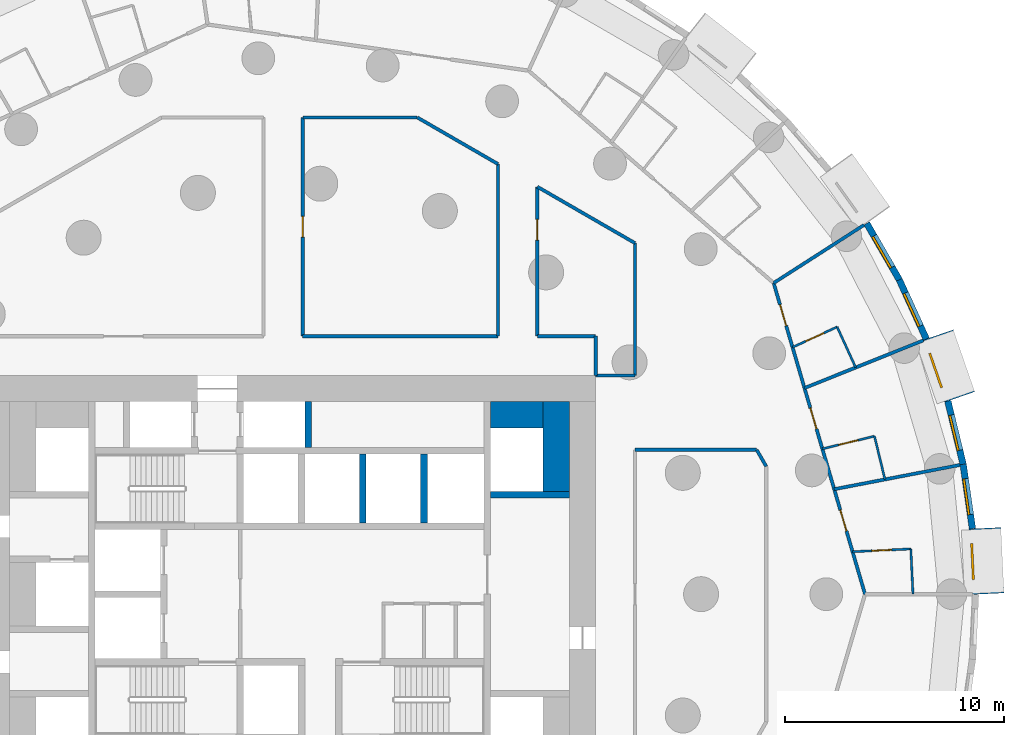
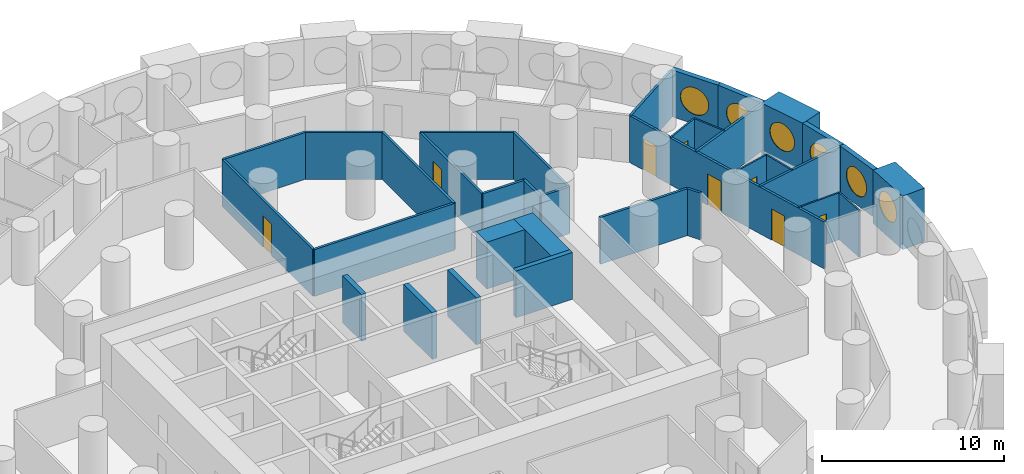
# One storey, part 9 of 12: 35 walls, 8 doors, 6 windows, 14 openings.
"""IFC4 building model written with IfcOpenShell, lengths in metres."""

from ifc_helpers import new_model, si_unit, direction, frame, frame_2d, origin, origin_2d, place, context, subcontext, project, spatial, rectangle, circle, extrude, material, layer, layer_set, type_object, element, fill, save


model = new_model("IFC4")

# Units and contexts
model_context = context("Model", 3, precision=1e-05, world=origin(), true_north=direction((0.0, 1.0)))
body_context = subcontext(model_context, "Body", "Model", "MODEL_VIEW")
ifc_project = project(units=[si_unit("LENGTHUNIT", "METRE"), si_unit("AREAUNIT", "SQUARE_METRE"), si_unit("VOLUMEUNIT", "CUBIC_METRE"), si_unit("PLANEANGLEUNIT", "RADIAN"), si_unit("MASSUNIT", "GRAM", prefix="KILO")], contexts=[model_context])

# Site, building, storey
site_placement = place(None, origin())
site = spatial("IfcSite", under=ifc_project, at=site_placement, CompositionType="ELEMENT")
building_placement = place(site_placement, origin())
building = spatial("IfcBuilding", under=site, at=building_placement, Name="Tracery Tower", CompositionType="ELEMENT")
storey_placement = place(building_placement, frame((0.0, 0.0, 28.199951171875)))
storey = spatial("IfcBuildingStorey", under=building, at=storey_placement, Name="L05", CompositionType="ELEMENT", Elevation=28.199951171875)

# Walls
ifc_material_1 = material(Name="Concrete C60/75", Category="concrete")
ifc_layer_1 = layer(ifc_material_1, 1.199951171875)
ifc_layer_set_1 = layer_set([ifc_layer_1], Name="Core strip wall 1200 C60")
wall_type_1 = type_object("IfcWallType", Name="Core strip wall 1200 C60", PredefinedType="SOLIDWALL", material=ifc_layer_set_1)
wall_1_placement = place(storey_placement, frame((12.199951171875, 4.699951171875, 0.0), z_axis=(0.0, 0.0, 1.0), x_axis=(0.0, 1.0, 0.0)))
element("IfcWall", 1, at=wall_1_placement, inside=storey, type_object=wall_type_1, Name="L05 wing strip +1 4.55", PredefinedType="SOLIDWALL", context=body_context, shape_type="SweptSolid", body=[
    extrude(rectangle(XDim=4.10009765625, YDim=1.199951171875, at=frame_2d((2.050048828125, 0.0))), origin(), (0.0, 0.0, 1.0), 3.150146484375),
])
wall_2_placement = place(storey_placement, frame((9.199951171875, 8.199951171875, 0.0), z_axis=(0.0, 0.0, 1.0), x_axis=(1.0, 0.0, 0.0)))
element("IfcWall", 2, at=wall_2_placement, inside=storey, type_object=wall_type_1, Name="L05 wing corner +1 +8.2", PredefinedType="SOLIDWALL", context=body_context, shape_type="SweptSolid", body=[
    extrude(rectangle(XDim=2.400146484375, YDim=1.199951171875, at=frame_2d((1.2001953125, 0.0))), origin(), (0.0, 0.0, 1.0), 3.150146484375),
])

# Wall, opening, window
ifc_material_2 = material(Name="Precast concrete C50/60", Category="concrete")
ifc_layer_2 = layer(ifc_material_2, 1.449951171875)
ifc_layer_set_2 = layer_set([ifc_layer_2], Name="Deep-set bay unit 3000 x 3600, slab edge 450")
wall_type_2 = type_object("IfcWallType", Name="Deep-set bay unit 3000 x 3600, slab edge 450", PredefinedType="ELEMENTEDWALL", material=ifc_layer_set_2)
wall_3_placement = place(storey_placement, frame((31.94921875, 0.020263671875, -0.449951171875), z_axis=(0.0, 0.0, 1.0), x_axis=(-0.047607680889, 0.998866111509, 0.0)))
wall_3 = element("IfcWall", 3, at=wall_3_placement, inside=storey, type_object=wall_type_2, Name="Deep-set bay unit 1 at L05", PredefinedType="ELEMENTEDWALL", context=body_context, shape_type="SweptSolid", body=[
    extrude(rectangle(XDim=3.0, YDim=1.449951171875, at=frame_2d((1.5, 0.0))), origin(), (0.0, 0.0, 1.0), 3.60009765625),
])
opening_1_placement = place(wall_3_placement, frame((1.5, 0.0, 2.0)))
opening_1 = element("IfcOpeningElement", 4, at=opening_1_placement, cuts=wall_3, Name="Opening WN1", PredefinedType="OPENING", context=body_context, shape_type="SweptSolid", body=[
    extrude(circle(Radius=0.9000244140625, at=origin_2d()), frame((0.0, 0.73486328125, 0.0), z_axis=(0.0, -1.0, 0.0), x_axis=(1.0, 0.0, 0.0)), (0.0, 0.0, 1.0), 1.469970703125),
])
ifc_material_3 = material(Name="Aluminium frame with tinted double glazing", Category="aluminium")
window_type = type_object("IfcWindowType", Name="Round window 1800", PartitioningType="SINGLE_PANEL", PredefinedType="WINDOW", material=ifc_material_3)
window_1_placement = place(opening_1_placement, origin())
window_1 = element("IfcWindow", 5, at=window_1_placement, inside=storey, type_object=window_type, Name="Round window 1 at L05", OverallHeight=1.800048828125, OverallWidth=1.800048828125, PartitioningType="SINGLE_PANEL", PredefinedType="WINDOW", context=body_context, shape_type="SweptSolid", body=[
    extrude(circle(Radius=0.9000244140625, at=origin_2d()), frame((0.0, 0.69482421875, 0.0), z_axis=(0.0, -1.0, 0.0), x_axis=(1.0, 0.0, 0.0)), (0.0, 0.0, 1.0), 0.10009765625),
])
fill(opening_1, window_1)

wall_4_placement = place(storey_placement, frame((30.649169921875, 9.0205078125, -0.449951171875), z_axis=(0.0, 0.0, 1.0), x_axis=(-0.327071431777, 0.944999618262, 0.0)))
wall_4 = element("IfcWall", 6, at=wall_4_placement, inside=storey, type_object=wall_type_2, Name="Deep-set bay unit 4 at L05", PredefinedType="ELEMENTEDWALL", context=body_context, shape_type="SweptSolid", body=[
    extrude(rectangle(XDim=3.0, YDim=1.449951171875, at=frame_2d((1.5, 0.0))), origin(), (0.0, 0.0, 1.0), 3.60009765625),
])
opening_2_placement = place(wall_4_placement, frame((1.5, 0.0, 2.0)))
opening_2 = element("IfcOpeningElement", 7, at=opening_2_placement, cuts=wall_4, Name="Opening WN1", PredefinedType="OPENING", context=body_context, shape_type="SweptSolid", body=[
    extrude(circle(Radius=0.9000244140625, at=origin_2d()), frame((0.0, 0.73486328125, 0.0), z_axis=(0.0, -1.0, 0.0), x_axis=(1.0, 0.0, 0.0)), (0.0, 0.0, 1.0), 1.469970703125),
])
window_2_placement = place(opening_2_placement, origin())
window_2 = element("IfcWindow", 8, at=window_2_placement, inside=storey, type_object=window_type, Name="Round window 4 at L05", OverallHeight=1.800048828125, OverallWidth=1.800048828125, PartitioningType="SINGLE_PANEL", PredefinedType="WINDOW", context=body_context, shape_type="SweptSolid", body=[
    extrude(circle(Radius=0.9000244140625, at=origin_2d()), frame((0.0, 0.69482421875, 0.0), z_axis=(0.0, -1.0, 0.0), x_axis=(1.0, 0.0, 0.0)), (0.0, 0.0, 1.0), 0.10009765625),
])
fill(opening_2, window_2)

ifc_material_4 = material(Name="Precast concrete C50/60", Category="concrete")
ifc_layer_3 = layer(ifc_material_4, 0.300048828125)
ifc_layer_set_3 = layer_set([ifc_layer_3], Name="Facade panel 3000 x 3150")
wall_type_3 = type_object("IfcWallType", Name="Facade panel 3000 x 3150", PredefinedType="SOLIDWALL", material=ifc_layer_set_3)
wall_5_placement = place(storey_placement, frame((31.2314453125, 2.98828125, 0.0), z_axis=(0.0, 0.0, 1.0), x_axis=(-0.142315996627, 0.989821275334, 0.0)))
wall_5 = element("IfcWall", 9, at=wall_5_placement, inside=storey, type_object=wall_type_3, Name="Facade panel 2 at L05", PredefinedType="SOLIDWALL", context=body_context, shape_type="SweptSolid", body=[
    extrude(rectangle(XDim=2.979736328125, YDim=0.300048828125, at=frame_2d((1.48974609375, 0.0))), origin(), (0.0, 0.0, 1.0), 3.150146484375),
])
opening_3_placement = place(wall_5_placement, frame((1.48974609375, 0.0, 1.5498046875)))
opening_3 = element("IfcOpeningElement", 10, at=opening_3_placement, cuts=wall_5, Name="Opening WN1", PredefinedType="OPENING", context=body_context, shape_type="SweptSolid", body=[
    extrude(circle(Radius=0.9000244140625, at=origin_2d()), frame((0.0, 0.159912109375, 0.0), z_axis=(0.0, -1.0, 0.0), x_axis=(1.0, 0.0, 0.0)), (0.0, 0.0, 1.0), 0.320068359375),
])
window_3_placement = place(opening_3_placement, origin())
window_3 = element("IfcWindow", 11, at=window_3_placement, inside=storey, type_object=window_type, Name="Round window 2 at L05", OverallHeight=1.800048828125, OverallWidth=1.800048828125, PartitioningType="SINGLE_PANEL", PredefinedType="WINDOW", context=body_context, shape_type="SweptSolid", body=[
    extrude(circle(Radius=0.9000244140625, at=origin_2d()), frame((0.0, 0.1201171875, 0.0), z_axis=(0.0, -1.0, 0.0), x_axis=(1.0, 0.0, 0.0)), (0.0, 0.0, 1.0), 0.10009765625),
])
fill(opening_3, window_3)

wall_6_placement = place(storey_placement, frame((30.807373046875, 5.937744140625, 0.0), z_axis=(0.0, 0.0, 1.0), x_axis=(-0.235743081534, 0.971815414319, 0.0)))
wall_6 = element("IfcWall", 12, at=wall_6_placement, inside=storey, type_object=wall_type_3, Name="Facade panel 3 at L05", PredefinedType="SOLIDWALL", context=body_context, shape_type="SweptSolid", body=[
    extrude(rectangle(XDim=2.9794921875, YDim=0.300048828125, at=frame_2d((1.48974609375, 0.0))), origin(), (0.0, 0.0, 1.0), 3.150146484375),
])
opening_4_placement = place(wall_6_placement, frame((1.48974609375, 0.0, 1.5498046875)))
opening_4 = element("IfcOpeningElement", 13, at=opening_4_placement, cuts=wall_6, Name="Opening WN1", PredefinedType="OPENING", context=body_context, shape_type="SweptSolid", body=[
    extrude(circle(Radius=0.9000244140625, at=origin_2d()), frame((0.0, 0.159912109375, 0.0), z_axis=(0.0, -1.0, 0.0), x_axis=(1.0, 0.0, 0.0)), (0.0, 0.0, 1.0), 0.320068359375),
])
window_4_placement = place(opening_4_placement, origin())
window_4 = element("IfcWindow", 14, at=window_4_placement, inside=storey, type_object=window_type, Name="Round window 3 at L05", OverallHeight=1.800048828125, OverallWidth=1.800048828125, PartitioningType="SINGLE_PANEL", PredefinedType="WINDOW", context=body_context, shape_type="SweptSolid", body=[
    extrude(circle(Radius=0.9000244140625, at=origin_2d()), frame((0.0, 0.1201171875, 0.0), z_axis=(0.0, -1.0, 0.0), x_axis=(1.0, 0.0, 0.0)), (0.0, 0.0, 1.0), 0.10009765625),
])
fill(opening_4, window_4)

wall_7_placement = place(storey_placement, frame((29.12451171875, 11.666259765625, 0.0), z_axis=(0.0, 0.0, 1.0), x_axis=(-0.415407317162, 0.909635509888, 0.0)))
wall_7 = element("IfcWall", 15, at=wall_7_placement, inside=storey, type_object=wall_type_3, Name="Facade panel 5 at L05", PredefinedType="SOLIDWALL", context=body_context, shape_type="SweptSolid", body=[
    extrude(rectangle(XDim=2.979736328125, YDim=0.300048828125, at=frame_2d((1.48974609375, 0.0))), origin(), (0.0, 0.0, 1.0), 3.150146484375),
])
opening_5_placement = place(wall_7_placement, frame((1.48974609375, 0.0, 1.5498046875)))
opening_5 = element("IfcOpeningElement", 16, at=opening_5_placement, cuts=wall_7, Name="Opening WN1", PredefinedType="OPENING", context=body_context, shape_type="SweptSolid", body=[
    extrude(circle(Radius=0.9000244140625, at=origin_2d()), frame((0.0, 0.159912109375, 0.0), z_axis=(0.0, -1.0, 0.0), x_axis=(1.0, 0.0, 0.0)), (0.0, 0.0, 1.0), 0.320068359375),
])
window_5_placement = place(opening_5_placement, origin())
window_5 = element("IfcWindow", 17, at=window_5_placement, inside=storey, type_object=window_type, Name="Round window 5 at L05", OverallHeight=1.800048828125, OverallWidth=1.800048828125, PartitioningType="SINGLE_PANEL", PredefinedType="WINDOW", context=body_context, shape_type="SweptSolid", body=[
    extrude(circle(Radius=0.9000244140625, at=origin_2d()), frame((0.0, 0.1201171875, 0.0), z_axis=(0.0, -1.0, 0.0), x_axis=(1.0, 0.0, 0.0)), (0.0, 0.0, 1.0), 0.10009765625),
])
fill(opening_5, window_5)

wall_8_placement = place(storey_placement, frame((27.88671875, 14.376708984375, 0.0), z_axis=(0.0, 0.0, 1.0), x_axis=(-0.499999078476, 0.866025935826, 0.0)))
wall_8 = element("IfcWall", 18, at=wall_8_placement, inside=storey, type_object=wall_type_3, Name="Facade panel 6 at L05", PredefinedType="SOLIDWALL", context=body_context, shape_type="SweptSolid", body=[
    extrude(rectangle(XDim=2.9794921875, YDim=0.300048828125, at=frame_2d((1.48974609375, 0.0))), origin(), (0.0, 0.0, 1.0), 3.150146484375),
])
opening_6_placement = place(wall_8_placement, frame((1.48974609375, 0.0, 1.5498046875)))
opening_6 = element("IfcOpeningElement", 19, at=opening_6_placement, cuts=wall_8, Name="Opening WN1", PredefinedType="OPENING", context=body_context, shape_type="SweptSolid", body=[
    extrude(circle(Radius=0.9000244140625, at=origin_2d()), frame((0.0, 0.159912109375, 0.0), z_axis=(0.0, -1.0, 0.0), x_axis=(1.0, 0.0, 0.0)), (0.0, 0.0, 1.0), 0.320068359375),
])
window_6_placement = place(opening_6_placement, origin())
window_6 = element("IfcWindow", 20, at=window_6_placement, inside=storey, type_object=window_type, Name="Round window 6 at L05", OverallHeight=1.800048828125, OverallWidth=1.800048828125, PartitioningType="SINGLE_PANEL", PredefinedType="WINDOW", context=body_context, shape_type="SweptSolid", body=[
    extrude(circle(Radius=0.9000244140625, at=origin_2d()), frame((0.0, 0.1201171875, 0.0), z_axis=(0.0, -1.0, 0.0), x_axis=(1.0, 0.0, 0.0)), (0.0, 0.0, 1.0), 0.10009765625),
])
fill(opening_6, window_6)

# Wall
ifc_material_5 = material(Name="Plasterboard on steel studs", Category="steel")
ifc_layer_4 = layer(ifc_material_5, 0.10009765625)
ifc_layer_set_4 = layer_set([ifc_layer_4], Name="Partition 100 wet wall")
wall_type_4 = type_object("IfcWallType", Name="Partition 100 wet wall", PredefinedType="PARTITIONING", material=ifc_layer_set_4)
wall_9_placement = place(storey_placement, frame((28.412109375, 2.069091796875, 0.0), z_axis=(0.0, 0.0, 1.0), x_axis=(0.047733138673, -0.998860124078, 0.0)))
element("IfcWall", 21, at=wall_9_placement, inside=storey, type_object=wall_type_4, Name="Wet wall RA1-058", PredefinedType="PARTITIONING", context=body_context, shape_type="SweptSolid", body=[
    extrude(rectangle(XDim=2.071533203125, YDim=0.10009765625, at=frame_2d((1.03564453125, 0.0))), origin(), (0.0, 0.0, 1.0), 3.150146484375),
])

# Wall, opening, door
wall_10_placement = place(storey_placement, frame((25.7490234375, 1.94189453125, 0.0), z_axis=(0.0, 0.0, 1.0), x_axis=(0.998861290624, 0.047708721344, 0.0)))
wall_10 = element("IfcWall", 22, at=wall_10_placement, inside=storey, type_object=wall_type_4, Name="Wet wall RA1-059", PredefinedType="PARTITIONING", context=body_context, shape_type="SweptSolid", body=[
    extrude(rectangle(XDim=2.666015625, YDim=0.10009765625, at=frame_2d((1.3330078125, 0.0))), origin(), (0.0, 0.0, 1.0), 3.150146484375),
])
opening_7_placement = place(wall_10_placement, frame((0.883056640625, 0.0, 0.0)))
opening_7 = element("IfcOpeningElement", 23, at=opening_7_placement, cuts=wall_10, Name="Opening RA1-09", PredefinedType="OPENING", context=body_context, shape_type="SweptSolid", body=[
    extrude(rectangle(XDim=0.89990234375, YDim=2.0400390625, at=frame_2d((0.449951171875, 1.02001953125))), frame((0.0, 0.050048828125, 0.0), z_axis=(0.0, -1.0, 0.0), x_axis=(1.0, 0.0, 0.0)), (0.0, 0.0, 1.0), 0.10009765625),
])
ifc_material_6 = material(Name="Timber door leaf", Category="wood")
door_type_1 = type_object("IfcDoorType", Name="Door en-suite 900", OperationType="NOTDEFINED", PredefinedType="DOOR", material=ifc_material_6)
door_1_placement = place(opening_7_placement, origin())
door_1 = element("IfcDoor", 24, at=door_1_placement, inside=storey, type_object=door_type_1, Name="En-suite door RA1-09", OperationType="SINGLE_SWING_LEFT", OverallHeight=2.0400390625, OverallWidth=0.89990234375, PredefinedType="DOOR", context=body_context, shape_type="SweptSolid", body=[
    extrude(rectangle(XDim=0.89990234375, YDim=2.0400390625, at=frame_2d((0.449951171875, 1.02001953125))), frame((0.0, 0.02490234375, 0.0), z_axis=(0.0, -1.0, 0.0), x_axis=(1.0, 0.0, 0.0)), (0.0, 0.0, 1.0), 0.050048828125),
])
fill(opening_7, door_1)

# Wall
wall_11_placement = place(storey_placement, frame((26.75, 7.22509765625, 0.0), z_axis=(0.0, 0.0, 1.0), x_axis=(0.23592286129, -0.97177178572, 0.0)))
element("IfcWall", 25, at=wall_11_placement, inside=storey, type_object=wall_type_4, Name="Wet wall RA1-062", PredefinedType="PARTITIONING", context=body_context, shape_type="SweptSolid", body=[
    extrude(rectangle(XDim=2.034423828125, YDim=0.10009765625, at=frame_2d((1.01708984375, 0.0))), origin(), (0.0, 0.0, 1.0), 3.150146484375),
])

# Wall, opening, door
wall_12_placement = place(storey_placement, frame((24.366943359375, 6.64599609375, 0.0), z_axis=(0.0, 0.0, 1.0), x_axis=(0.971720101056, 0.236135650006, 0.0)))
wall_12 = element("IfcWall", 26, at=wall_12_placement, inside=storey, type_object=wall_type_4, Name="Wet wall RA1-063", PredefinedType="PARTITIONING", context=body_context, shape_type="SweptSolid", body=[
    extrude(rectangle(XDim=2.452392578125, YDim=0.10009765625, at=frame_2d((1.22607421875, 0.0))), origin(), (0.0, 0.0, 1.0), 3.150146484375),
])
opening_8_placement = place(wall_12_placement, frame((0.7763671875, 0.0, 0.0)))
opening_8 = element("IfcOpeningElement", 27, at=opening_8_placement, cuts=wall_12, Name="Opening RA1-11", PredefinedType="OPENING", context=body_context, shape_type="SweptSolid", body=[
    extrude(rectangle(XDim=0.89990234375, YDim=2.0400390625, at=frame_2d((0.449951171875, 1.02001953125))), frame((0.0, 0.050048828125, 0.0), z_axis=(0.0, -1.0, 0.0), x_axis=(1.0, 0.0, 0.0)), (0.0, 0.0, 1.0), 0.10009765625),
])
door_2_placement = place(opening_8_placement, origin())
door_2 = element("IfcDoor", 28, at=door_2_placement, inside=storey, type_object=door_type_1, Name="En-suite door RA1-11", OperationType="SINGLE_SWING_LEFT", OverallHeight=2.0400390625, OverallWidth=0.89990234375, PredefinedType="DOOR", context=body_context, shape_type="SweptSolid", body=[
    extrude(rectangle(XDim=0.89990234375, YDim=2.0400390625, at=frame_2d((0.449951171875, 1.02001953125))), frame((0.0, 0.02490234375, 0.0), z_axis=(0.0, -1.0, 0.0), x_axis=(1.0, 0.0, 0.0)), (0.0, 0.0, 1.0), 0.050048828125),
])
fill(opening_8, door_2)

# Wall
wall_13_placement = place(storey_placement, frame((25.04296875, 12.221923828125, 0.0), z_axis=(0.0, 0.0, 1.0), x_axis=(0.41546015385, -0.909611378866, 0.0)))
element("IfcWall", 29, at=wall_13_placement, inside=storey, type_object=wall_type_4, Name="Wet wall RA1-065", PredefinedType="PARTITIONING", context=body_context, shape_type="SweptSolid", body=[
    extrude(rectangle(XDim=2.04150390625, YDim=0.10009765625, at=frame_2d((1.020751953125, 0.0))), origin(), (0.0, 0.0, 1.0), 3.150146484375),
])

# Wall, opening, door
wall_14_placement = place(storey_placement, frame((23.0029296875, 11.291015625, 0.0), z_axis=(0.0, 0.0, 1.0), x_axis=(0.90975773562, 0.41513956988, 0.0)))
wall_14 = element("IfcWall", 30, at=wall_14_placement, inside=storey, type_object=wall_type_4, Name="Wet wall RA1-066", PredefinedType="PARTITIONING", context=body_context, shape_type="SweptSolid", body=[
    extrude(rectangle(XDim=2.242431640625, YDim=0.10009765625, at=frame_2d((1.12109375, 0.0))), origin(), (0.0, 0.0, 1.0), 3.150146484375),
])
opening_9_placement = place(wall_14_placement, frame((0.67138671875, 0.0, 0.0)))
opening_9 = element("IfcOpeningElement", 31, at=opening_9_placement, cuts=wall_14, Name="Opening RA1-13", PredefinedType="OPENING", context=body_context, shape_type="SweptSolid", body=[
    extrude(rectangle(XDim=0.89990234375, YDim=2.0400390625, at=frame_2d((0.449951171875, 1.02001953125))), frame((0.0, 0.050048828125, 0.0), z_axis=(0.0, -1.0, 0.0), x_axis=(1.0, 0.0, 0.0)), (0.0, 0.0, 1.0), 0.10009765625),
])
door_3_placement = place(opening_9_placement, origin())
door_3 = element("IfcDoor", 32, at=door_3_placement, inside=storey, type_object=door_type_1, Name="En-suite door RA1-13", OperationType="SINGLE_SWING_LEFT", OverallHeight=2.0400390625, OverallWidth=0.89990234375, PredefinedType="DOOR", context=body_context, shape_type="SweptSolid", body=[
    extrude(rectangle(XDim=0.89990234375, YDim=2.0400390625, at=frame_2d((0.449951171875, 1.02001953125))), frame((0.0, 0.02490234375, 0.0), z_axis=(0.0, -1.0, 0.0), x_axis=(1.0, 0.0, 0.0)), (0.0, 0.0, 1.0), 0.050048828125),
])
fill(opening_9, door_3)

# Walls
ifc_material_7 = material(Name="Plasterboard on steel studs", Category="steel")
ifc_layer_5 = layer(ifc_material_7, 0.14990234375)
ifc_layer_set_5 = layer_set([ifc_layer_5], Name="Partition 150 acoustic unit wall")
wall_type_5 = type_object("IfcWallType", Name="Partition 150 acoustic unit wall", PredefinedType="PARTITIONING", material=ifc_layer_set_5)
wall_15_placement = place(storey_placement, frame((24.9091796875, 4.80029296875, 0.0), z_axis=(0.0, 0.0, 1.0), x_axis=(0.981919819649, 0.18929729998, 0.0)))
element("IfcWall", 33, at=wall_15_placement, inside=storey, type_object=wall_type_5, Name="Unit wall RA1-060", PredefinedType="PARTITIONING", context=body_context, shape_type="SweptSolid", body=[
    extrude(rectangle(XDim=5.856689453125, YDim=0.14990234375, at=frame_2d((2.92822265625, 0.0))), origin(), (0.0, 0.0, 1.0), 3.150146484375),
])
wall_16_placement = place(storey_placement, frame((23.55029296875, 9.427001953125, 0.0), z_axis=(0.0, 0.0, 1.0), x_axis=(0.928307005382, 0.371814609393, 0.0)))
element("IfcWall", 34, at=wall_16_placement, inside=storey, type_object=wall_type_5, Name="Unit wall RA1-064", PredefinedType="PARTITIONING", context=body_context, shape_type="SweptSolid", body=[
    extrude(rectangle(XDim=5.857666015625, YDim=0.14990234375, at=frame_2d((2.9287109375, 0.0))), origin(), (0.0, 0.0, 1.0), 3.150146484375),
])
wall_17_placement = place(storey_placement, frame((22.14111328125, 14.22900390625, 0.0), z_axis=(0.0, 0.0, 1.0), x_axis=(0.841265781699, 0.540621757371, 0.0)))
element("IfcWall", 35, at=wall_17_placement, inside=storey, type_object=wall_type_5, Name="Unit wall RA1-067", PredefinedType="PARTITIONING", context=body_context, shape_type="SweptSolid", body=[
    extrude(rectangle(XDim=4.90576171875, YDim=0.14990234375, at=frame_2d((2.452880859375, 0.0))), origin(), (0.0, 0.0, 1.0), 3.150146484375),
])
ifc_material_8 = material(Name="Plasterboard on steel studs", Category="steel")
ifc_layer_6 = layer(ifc_material_8, 0.14990234375)
ifc_layer_set_6 = layer_set([ifc_layer_6], Name="Partition 150 corridor wall")
wall_type_6 = type_object("IfcWallType", Name="Partition 150 corridor wall", PredefinedType="PARTITIONING", material=ifc_layer_set_6)
wall_18_placement = place(storey_placement, frame((0.60400390625, 11.800048828125, 0.0), z_axis=(0.0, 0.0, 1.0), x_axis=(1.0, 0.0, 0.0)))
element("IfcWall", 36, at=wall_18_placement, inside=storey, type_object=wall_type_6, Name="Corridor wall RA1-002", PredefinedType="PARTITIONING", context=body_context, shape_type="SweptSolid", body=[
    extrude(rectangle(XDim=8.93603515625, YDim=0.14990234375, at=frame_2d((4.468017578125, 0.0))), origin(), (0.0, 0.0, 1.0), 3.150146484375),
])
wall_19_placement = place(storey_placement, frame((11.33203125, 11.800048828125, 0.0), z_axis=(0.0, 0.0, 1.0), x_axis=(1.0, 0.0, 0.0)))
element("IfcWall", 37, at=wall_19_placement, inside=storey, type_object=wall_type_6, Name="Corridor wall RA1-003", PredefinedType="PARTITIONING", context=body_context, shape_type="SweptSolid", body=[
    extrude(rectangle(XDim=2.66796875, YDim=0.14990234375, at=frame_2d((1.333984375, 0.0))), origin(), (0.0, 0.0, 1.0), 3.150146484375),
])
for number, where, z_axis, x_axis, name in (
    (38, (14.0, 10.0, 0.0), (0.0, 0.0, 1.0), (0.0, 1.0, 0.0), "Corridor wall RA1-004"),
    (39, (14.0, 10.0, 0.0), (0.0, 0.0, 1.0), (1.0, 0.0, 0.0), "Corridor wall RA1-009"),
):
    element("IfcWall", number, at=place(storey_placement, frame(where, z_axis=z_axis, x_axis=x_axis)), inside=storey, type_object=wall_type_6, Name=name, PredefinedType="PARTITIONING", context=body_context, shape_type="SweptSolid", body=[
        extrude(rectangle(XDim=1.800048828125, YDim=0.14990234375, at=frame_2d((0.89990234375, 0.0))), origin(), (0.0, 0.0, 1.0), 3.150146484375),
    ])
wall_20_placement = place(storey_placement, frame((15.800048828125, 9.99609375, 0.0), z_axis=(0.0, 0.0, 1.0), x_axis=(0.0, 1.0, 0.0)))
element("IfcWall", 40, at=wall_20_placement, inside=storey, type_object=wall_type_6, Name="Corridor wall RA1-013", PredefinedType="PARTITIONING", context=body_context, shape_type="SweptSolid", body=[
    extrude(rectangle(XDim=6.056884765625, YDim=0.14990234375, at=frame_2d((3.0283203125, 0.0))), origin(), (0.0, 0.0, 1.0), 3.150146484375),
])
wall_21_placement = place(storey_placement, frame((21.364013671875, 6.60009765625, 0.0), z_axis=(0.0, 0.0, 1.0), x_axis=(0.500277597875, -0.865865073245, 0.0)))
element("IfcWall", 41, at=wall_21_placement, inside=storey, type_object=wall_type_6, Name="Corridor wall RA1-018", PredefinedType="PARTITIONING", context=body_context, shape_type="SweptSolid", body=[
    extrude(rectangle(XDim=0.87548828125, YDim=0.14990234375, at=frame_2d((0.437744140625, 0.0))), origin(), (0.0, 0.0, 1.0), 3.150146484375),
])
wall_22_placement = place(storey_placement, frame((15.800048828125, 6.60009765625, 0.0), z_axis=(0.0, 0.0, 1.0), x_axis=(1.0, 0.0, 0.0)))
element("IfcWall", 42, at=wall_22_placement, inside=storey, type_object=wall_type_6, Name="Corridor wall RA1-019", PredefinedType="PARTITIONING", context=body_context, shape_type="SweptSolid", body=[
    extrude(rectangle(XDim=5.56396484375, YDim=0.14990234375, at=frame_2d((2.781982421875, 0.0))), origin(), (0.0, 0.0, 1.0), 3.150146484375),
])

# Wall, openings, doors
wall_23_placement = place(storey_placement, frame((22.140380859375, 14.228759765625, 0.0), z_axis=(0.0, 0.0, 1.0), x_axis=(0.281780364869, -0.959478934617, 0.0)))
wall_23 = element("IfcWall", 43, at=wall_23_placement, inside=storey, type_object=wall_type_6, Name="Corridor wall RA1-020", PredefinedType="PARTITIONING", context=body_context, shape_type="SweptSolid", body=[
    extrude(rectangle(XDim=14.82958984375, YDim=0.14990234375, at=frame_2d((7.414794921875, 0.0))), origin(), (0.0, 0.0, 1.0), 3.150146484375),
])
opening_10_placement = place(wall_23_placement, frame((10.81591796875, 0.0, 0.0)))
opening_10 = element("IfcOpeningElement", 44, at=opening_10_placement, cuts=wall_23, Name="Opening RA1-10", PredefinedType="OPENING", context=body_context, shape_type="SweptSolid", body=[
    extrude(rectangle(XDim=1.0, YDim=2.10009765625, at=frame_2d((0.5, 1.050048828125))), frame((0.0, 0.074951171875, 0.0), z_axis=(0.0, -1.0, 0.0), x_axis=(1.0, 0.0, 0.0)), (0.0, 0.0, 1.0), 0.14990234375),
])
opening_11_placement = place(wall_23_placement, frame((5.953369140625, 0.0, 0.0)))
opening_11 = element("IfcOpeningElement", 45, at=opening_11_placement, cuts=wall_23, Name="Opening RA1-12", PredefinedType="OPENING", context=body_context, shape_type="SweptSolid", body=[
    extrude(rectangle(XDim=1.0, YDim=2.10009765625, at=frame_2d((0.5, 1.050048828125))), frame((0.0, 0.074951171875, 0.0), z_axis=(0.0, -1.0, 0.0), x_axis=(1.0, 0.0, 0.0)), (0.0, 0.0, 1.0), 0.14990234375),
])
opening_12_placement = place(wall_23_placement, frame((1.032958984375, 0.0, 0.0)))
opening_12 = element("IfcOpeningElement", 46, at=opening_12_placement, cuts=wall_23, Name="Opening RA1-14", PredefinedType="OPENING", context=body_context, shape_type="SweptSolid", body=[
    extrude(rectangle(XDim=1.0, YDim=2.10009765625, at=frame_2d((0.5, 1.050048828125))), frame((0.0, 0.074951171875, 0.0), z_axis=(0.0, -1.0, 0.0), x_axis=(1.0, 0.0, 0.0)), (0.0, 0.0, 1.0), 0.14990234375),
])
ifc_material_9 = material(Name="Timber door leaf", Category="wood")
door_type_2 = type_object("IfcDoorType", Name="Door unit entrance 1000", OperationType="NOTDEFINED", PredefinedType="DOOR", material=ifc_material_9)
door_4_placement = place(opening_10_placement, origin())
door_4 = element("IfcDoor", 47, at=door_4_placement, inside=storey, type_object=door_type_2, Name="Unit entrance door RA1-10", OperationType="SINGLE_SWING_LEFT", OverallHeight=2.10009765625, OverallWidth=1.0, PredefinedType="DOOR", context=body_context, shape_type="SweptSolid", body=[
    extrude(rectangle(XDim=1.0, YDim=2.10009765625, at=frame_2d((0.5, 1.050048828125))), frame((0.0, 0.02490234375, 0.0), z_axis=(0.0, -1.0, 0.0), x_axis=(1.0, 0.0, 0.0)), (0.0, 0.0, 1.0), 0.050048828125),
])
fill(opening_10, door_4)
door_5_placement = place(opening_11_placement, origin())
door_5 = element("IfcDoor", 48, at=door_5_placement, inside=storey, type_object=door_type_2, Name="Unit entrance door RA1-12", OperationType="SINGLE_SWING_LEFT", OverallHeight=2.10009765625, OverallWidth=1.0, PredefinedType="DOOR", context=body_context, shape_type="SweptSolid", body=[
    extrude(rectangle(XDim=1.0, YDim=2.10009765625, at=frame_2d((0.5, 1.050048828125))), frame((0.0, 0.02490234375, 0.0), z_axis=(0.0, -1.0, 0.0), x_axis=(1.0, 0.0, 0.0)), (0.0, 0.0, 1.0), 0.050048828125),
])
fill(opening_11, door_5)
door_6_placement = place(opening_12_placement, origin())
door_6 = element("IfcDoor", 49, at=door_6_placement, inside=storey, type_object=door_type_2, Name="Unit entrance door RA1-14", OperationType="SINGLE_SWING_LEFT", OverallHeight=2.10009765625, OverallWidth=1.0, PredefinedType="DOOR", context=body_context, shape_type="SweptSolid", body=[
    extrude(rectangle(XDim=1.0, YDim=2.10009765625, at=frame_2d((0.5, 1.050048828125))), frame((0.0, 0.02490234375, 0.0), z_axis=(0.0, -1.0, 0.0), x_axis=(1.0, 0.0, 0.0)), (0.0, 0.0, 1.0), 0.050048828125),
])
fill(opening_12, door_6)

# Walls
wall_24_placement = place(storey_placement, frame((9.535888671875, 11.800048828125, 0.0), z_axis=(0.0, 0.0, 1.0), x_axis=(0.0, 1.0, 0.0)))
element("IfcWall", 50, at=wall_24_placement, inside=storey, type_object=wall_type_6, Name="Corridor wall RA1-028", PredefinedType="PARTITIONING", context=body_context, shape_type="SweptSolid", body=[
    extrude(rectangle(XDim=7.868896484375, YDim=0.14990234375, at=frame_2d((3.9345703125, 0.0))), origin(), (0.0, 0.0, 1.0), 3.150146484375),
])
wall_25_placement = place(storey_placement, frame((5.842041015625, 21.802001953125, 0.0), z_axis=(0.0, 0.0, 1.0), x_axis=(0.865983505205, -0.500072563448, 0.0)))
element("IfcWall", 51, at=wall_25_placement, inside=storey, type_object=wall_type_6, Name="Corridor wall RA1-029", PredefinedType="PARTITIONING", context=body_context, shape_type="SweptSolid", body=[
    extrude(rectangle(XDim=4.265380859375, YDim=0.14990234375, at=frame_2d((2.1328125, 0.0))), origin(), (0.0, 0.0, 1.0), 3.150146484375),
])
wall_26_placement = place(storey_placement, frame((0.60791015625, 21.802001953125, 0.0), z_axis=(0.0, 0.0, 1.0), x_axis=(1.0, 0.0, 0.0)))
element("IfcWall", 52, at=wall_26_placement, inside=storey, type_object=wall_type_6, Name="Corridor wall RA1-030", PredefinedType="PARTITIONING", context=body_context, shape_type="SweptSolid", body=[
    extrude(rectangle(XDim=5.234130859375, YDim=0.14990234375, at=frame_2d((2.6171875, 0.0))), origin(), (0.0, 0.0, 1.0), 3.150146484375),
])

# Wall, opening, door
wall_27_placement = place(storey_placement, frame((0.60791015625, 11.800048828125, 0.0), z_axis=(0.0, 0.0, 1.0), x_axis=(0.0, 1.0, 0.0)))
wall_27 = element("IfcWall", 53, at=wall_27_placement, inside=storey, type_object=wall_type_6, Name="Corridor wall RA1-031", PredefinedType="PARTITIONING", context=body_context, shape_type="SweptSolid", body=[
    extrude(rectangle(XDim=10.001953125, YDim=0.14990234375, at=frame_2d((5.0009765625, 0.0))), origin(), (0.0, 0.0, 1.0), 3.150146484375),
])
opening_13_placement = place(wall_27_placement, frame((4.52587890625, 0.0, 0.0)))
opening_13 = element("IfcOpeningElement", 54, at=opening_13_placement, cuts=wall_27, Name="Opening RA1-02", PredefinedType="OPENING", context=body_context, shape_type="SweptSolid", body=[
    extrude(rectangle(XDim=0.949951171875, YDim=2.10009765625, at=frame_2d((0.47509765625, 1.050048828125))), frame((0.0, 0.074951171875, 0.0), z_axis=(0.0, -1.0, 0.0), x_axis=(1.0, 0.0, 0.0)), (0.0, 0.0, 1.0), 0.14990234375),
])
ifc_material_10 = material(Name="Timber door leaf", Category="wood")
door_type_3 = type_object("IfcDoorType", Name="Door store 950", OperationType="NOTDEFINED", PredefinedType="DOOR", material=ifc_material_10)
door_7_placement = place(opening_13_placement, origin())
door_7 = element("IfcDoor", 55, at=door_7_placement, inside=storey, type_object=door_type_3, Name="Store door RA1-02", OperationType="SINGLE_SWING_RIGHT", OverallHeight=2.10009765625, OverallWidth=0.949951171875, PredefinedType="DOOR", context=body_context, shape_type="SweptSolid", body=[
    extrude(rectangle(XDim=0.949951171875, YDim=2.10009765625, at=frame_2d((0.47509765625, 1.050048828125))), frame((0.0, 0.02490234375, 0.0), z_axis=(0.0, -1.0, 0.0), x_axis=(1.0, 0.0, 0.0)), (0.0, 0.0, 1.0), 0.050048828125),
])
fill(opening_13, door_7)

# Wall
wall_28_placement = place(storey_placement, frame((11.3359375, 18.6298828125, 0.0), z_axis=(0.0, 0.0, 1.0), x_axis=(0.866063337164, -0.499934291702, 0.0)))
element("IfcWall", 56, at=wall_28_placement, inside=storey, type_object=wall_type_6, Name="Corridor wall RA1-032", PredefinedType="PARTITIONING", context=body_context, shape_type="SweptSolid", body=[
    extrude(rectangle(XDim=5.154541015625, YDim=0.14990234375, at=frame_2d((2.5771484375, 0.0))), origin(), (0.0, 0.0, 1.0), 3.150146484375),
])

# Wall, opening, door
wall_29_placement = place(storey_placement, frame((11.3359375, 11.800048828125, 0.0), z_axis=(0.0, 0.0, 1.0), x_axis=(0.0, 1.0, 0.0)))
wall_29 = element("IfcWall", 57, at=wall_29_placement, inside=storey, type_object=wall_type_6, Name="Corridor wall RA1-033", PredefinedType="PARTITIONING", context=body_context, shape_type="SweptSolid", body=[
    extrude(rectangle(XDim=6.829833984375, YDim=0.14990234375, at=frame_2d((3.4150390625, 0.0))), origin(), (0.0, 0.0, 1.0), 3.150146484375),
])
opening_14_placement = place(wall_29_placement, frame((4.389892578125, 0.0, 0.0)))
opening_14 = element("IfcOpeningElement", 58, at=opening_14_placement, cuts=wall_29, Name="Opening RA1-03", PredefinedType="OPENING", context=body_context, shape_type="SweptSolid", body=[
    extrude(rectangle(XDim=0.949951171875, YDim=2.10009765625, at=frame_2d((0.47509765625, 1.050048828125))), frame((0.0, 0.074951171875, 0.0), z_axis=(0.0, -1.0, 0.0), x_axis=(1.0, 0.0, 0.0)), (0.0, 0.0, 1.0), 0.14990234375),
])
door_8_placement = place(opening_14_placement, origin())
door_8 = element("IfcDoor", 59, at=door_8_placement, inside=storey, type_object=door_type_3, Name="Store door RA1-03", OperationType="SINGLE_SWING_LEFT", OverallHeight=2.10009765625, OverallWidth=0.949951171875, PredefinedType="DOOR", context=body_context, shape_type="SweptSolid", body=[
    extrude(rectangle(XDim=0.949951171875, YDim=2.10009765625, at=frame_2d((0.47509765625, 1.050048828125))), frame((0.0, 0.02490234375, 0.0), z_axis=(0.0, -1.0, 0.0), x_axis=(1.0, 0.0, 0.0)), (0.0, 0.0, 1.0), 0.050048828125),
])
fill(opening_14, door_8)

# Walls
ifc_material_11 = material(Name="Concrete C60/75", Category="concrete")
ifc_layer_7 = layer(ifc_material_11, 0.300048828125)
ifc_layer_set_7 = layer_set([ifc_layer_7], Name="Shaft wall 300 C60")
wall_type_7 = type_object("IfcWallType", Name="Shaft wall 300 C60", PredefinedType="SOLIDWALL", material=ifc_layer_set_7)
for number, where, z_axis, x_axis, name in (
    (60, (3.35009765625, 3.25, 0.0), (0.0, 0.0, 1.0), (0.0, 1.0, 0.0), "L05 HR sep 2"),
    (61, (6.14990234375, 3.25, 0.0), (0.0, 0.0, 1.0), (0.0, 1.0, 0.0), "L05 HR sep 3"),
):
    element("IfcWall", number, at=place(storey_placement, frame(where, z_axis=z_axis, x_axis=x_axis)), inside=storey, type_object=wall_type_7, Name=name, PredefinedType="SOLIDWALL", context=body_context, shape_type="SweptSolid", body=[
        extrude(rectangle(XDim=3.14990234375, YDim=0.300048828125, at=frame_2d((1.574951171875, 0.0))), origin(), (0.0, 0.0, 1.0), 3.150146484375),
    ])
wall_30_placement = place(storey_placement, frame((0.85009765625, 6.699951171875, 0.0), z_axis=(0.0, 0.0, 1.0), x_axis=(0.0, 1.0, 0.0)))
element("IfcWall", 62, at=wall_30_placement, inside=storey, type_object=wall_type_7, Name="L05 LR sep 0.85", PredefinedType="SOLIDWALL", context=body_context, shape_type="SweptSolid", body=[
    extrude(rectangle(XDim=2.10009765625, YDim=0.300048828125, at=frame_2d((1.050048828125, 0.0))), origin(), (0.0, 0.0, 1.0), 3.150146484375),
])
wall_31_placement = place(storey_placement, frame((9.199951171875, 4.550048828125, 0.0), z_axis=(0.0, 0.0, 1.0), x_axis=(1.0, 0.0, 0.0)))
element("IfcWall", 63, at=wall_31_placement, inside=storey, type_object=wall_type_7, Name="L05 wing shaft wall +1 +4.55", PredefinedType="SOLIDWALL", context=body_context, shape_type="SweptSolid", body=[
    extrude(rectangle(XDim=3.60009765625, YDim=0.300048828125, at=frame_2d((1.800048828125, 0.0))), origin(), (0.0, 0.0, 1.0), 3.150146484375),
])

save(model, "model.ifc")
